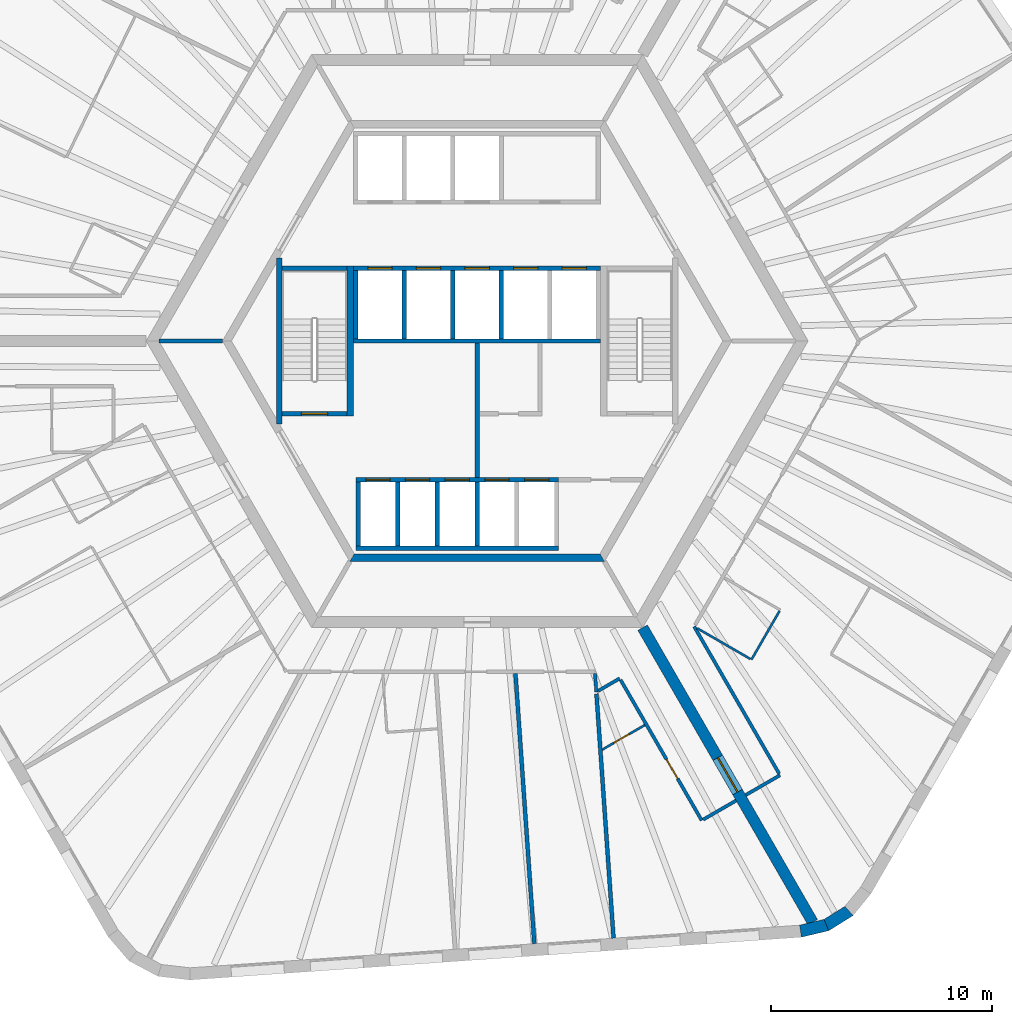
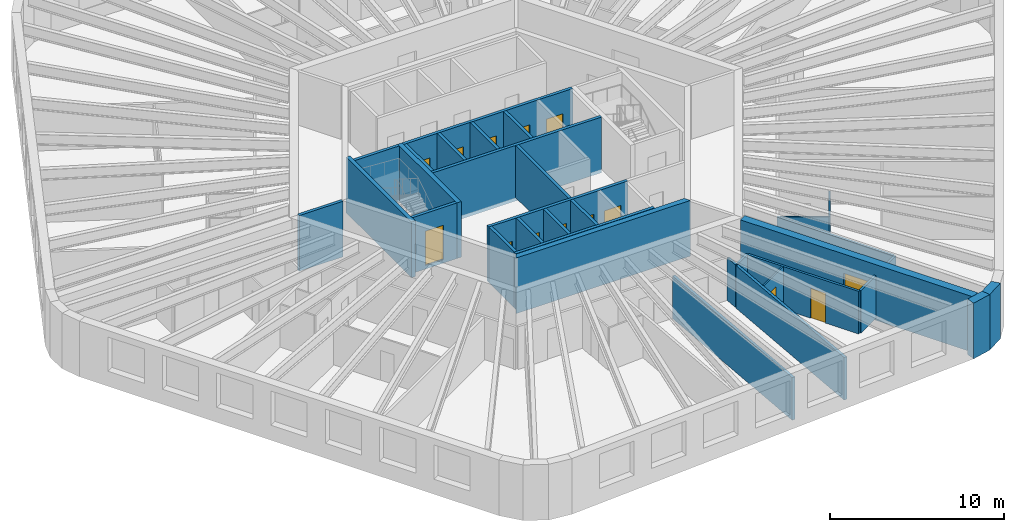
# One storey, part 4 of 10: 33 walls, 14 doors, 14 openings.
"""IFC4 building model written with IfcOpenShell, lengths in metres."""

from ifc_helpers import new_model, si_unit, direction, frame, frame_2d, origin, place, context, subcontext, project, spatial, polyline, rectangle, outline, extrude, material, layer, layer_set, type_object, element, fill, save


model = new_model("IFC4")

# Units and contexts
model_context = context("Model", 3, precision=1e-05, world=origin(), true_north=direction((0.0, 1.0)))
body_context = subcontext(model_context, "Body", "Model", "MODEL_VIEW")
ifc_project = project(units=[si_unit("LENGTHUNIT", "METRE"), si_unit("AREAUNIT", "SQUARE_METRE"), si_unit("VOLUMEUNIT", "CUBIC_METRE"), si_unit("PLANEANGLEUNIT", "RADIAN"), si_unit("MASSUNIT", "GRAM", prefix="KILO")], contexts=[model_context])

# Site, building, storey
site_placement = place(None, origin())
site = spatial("IfcSite", under=ifc_project, at=site_placement, CompositionType="ELEMENT")
building_placement = place(site_placement, origin())
building = spatial("IfcBuilding", under=site, at=building_placement, Name="Tarnside Tower", CompositionType="ELEMENT")
storey_placement = place(building_placement, frame((0.0, 0.0, 203.39990234375)))
storey = spatial("IfcBuildingStorey", under=building, at=storey_placement, Name="L48", CompositionType="ELEMENT", Elevation=203.39990234375)

# Wall, opening, door
ifc_material_1 = material(Name="Gypsum board partition on steel studs", Category="steel")
ifc_layer_1 = layer(ifc_material_1, 0.10009765625)
ifc_layer_set_1 = layer_set([ifc_layer_1], Name="Bathroom wall 100")
wall_type_1 = type_object("IfcWallType", Name="Bathroom wall 100", PredefinedType="PARTITIONING", material=ifc_layer_set_1)
wall_1_placement = place(storey_placement, frame((7.603271484375, -17.419189453125, 0.0), z_axis=(0.0, 0.0, 1.0), x_axis=(-0.866064858854, -0.499931655587, 0.0)))
wall_1 = element("IfcWall", 1, at=wall_1_placement, inside=storey, type_object=wall_type_1, Name="Bathroom wall 15093", PredefinedType="PARTITIONING", context=body_context, shape_type="SweptSolid", body=[
    extrude(rectangle(XDim=2.222412109375, YDim=0.10009765625, at=frame_2d((1.111328125, 0.0))), origin(), (0.0, 0.0, 1.0), 2.98779296875),
])
opening_1_placement = place(wall_1_placement, frame((0.824951171875, 0.0, 0.0)))
opening_1 = element("IfcOpeningElement", 2, at=opening_1_placement, cuts=wall_1, Name="Opening D-B1", PredefinedType="OPENING", context=body_context, shape_type="SweptSolid", body=[
    extrude(rectangle(XDim=0.800048828125, YDim=2.10009765625, at=frame_2d((0.39990234375, 1.050048828125))), frame((0.0, 0.06005859375, 0.0), z_axis=(0.0, -1.0, 0.0), x_axis=(1.0, 0.0, 0.0)), (0.0, 0.0, 1.0), 0.1201171875),
])
ifc_material_2 = material(Name="Timber door leaf", Category="wood")
door_type_1 = type_object("IfcDoorType", Name="Bathroom door 800", OperationType="NOTDEFINED", PredefinedType="DOOR", material=ifc_material_2)
door_1_placement = place(opening_1_placement, origin())
door_1 = element("IfcDoor", 3, at=door_1_placement, inside=storey, type_object=door_type_1, Name="Bathroom door 15024", OperationType="SINGLE_SWING_LEFT", OverallHeight=2.10009765625, OverallWidth=0.800048828125, PredefinedType="DOOR", context=body_context, shape_type="SweptSolid", body=[
    extrude(rectangle(XDim=0.800048828125, YDim=2.10009765625, at=frame_2d((0.39990234375, 1.050048828125))), frame((0.0, 0.02490234375, 0.0), z_axis=(0.0, -1.0, 0.0), x_axis=(1.0, 0.0, 0.0)), (0.0, 0.0, 1.0), 0.050048828125),
])
fill(opening_1, door_1)

# Walls
wall_2_placement = place(storey_placement, frame((13.716796875, -12.24169921875, 0.0), z_axis=(0.0, 0.0, 1.0), x_axis=(-0.499990435942, -0.866030925526, 0.0)))
element("IfcWall", 4, at=wall_2_placement, inside=storey, type_object=wall_type_1, Name="Bathroom wall 15095", PredefinedType="PARTITIONING", context=body_context, shape_type="SweptSolid", body=[
    extrude(rectangle(XDim=2.5498046875, YDim=0.10009765625, at=frame_2d((1.27490234375, 0.0))), origin(), (0.0, 0.0, 1.0), 2.98779296875),
])
wall_3_placement = place(storey_placement, frame((12.398681640625, -14.425048828125, 0.0), z_axis=(0.0, 0.0, 1.0), x_axis=(-0.866018616679, 0.500011755427, 0.0)))
element("IfcWall", 5, at=wall_3_placement, inside=storey, type_object=wall_type_1, Name="Bathroom wall 15096", PredefinedType="PARTITIONING", context=body_context, shape_type="SweptSolid", body=[
    extrude(rectangle(XDim=2.80029296875, YDim=0.10009765625, at=frame_2d((1.400146484375, 0.0))), origin(), (0.0, 0.0, 1.0), 2.98779296875),
])
ifc_material_3 = material(Name="Concrete C50/60", Category="concrete")
ifc_layer_2 = layer(ifc_material_3, 0.35009765625)
ifc_layer_set_2 = layer_set([ifc_layer_2], Name="Core block wall 350 C50/60")
wall_type_2 = type_object("IfcWallType", Name="Core block wall 350 C50/60", PredefinedType="SHEAR", material=ifc_layer_set_2)
wall_4_placement = place(storey_placement, frame((-5.672607421875, -9.824951171875, -0.14990234375), z_axis=(0.0, 0.0, 1.0), x_axis=(1.0, 0.0, 0.0)))
element("IfcWall", 6, at=wall_4_placement, inside=storey, type_object=wall_type_2, Name="L48 core block wall face 4", PredefinedType="SHEAR", context=body_context, shape_type="SweptSolid", body=[
    extrude(outline(polyline([(-0.10107421875, -0.175048828125), (11.4462890625, -0.175048828125), (11.244140625, 0.175048828125), (0.10107421875, 0.175048828125), (-0.10107421875, -0.175048828125)])), origin(), (0.0, 0.0, 1.0), 3.89990234375),
])
ifc_material_4 = material(Name="Concrete C40/50", Category="concrete")
ifc_layer_3 = layer(ifc_material_4, 0.199951171875)
ifc_layer_set_3 = layer_set([ifc_layer_3], Name="Core room partition 200 C40/50")
wall_type_3 = type_object("IfcWallType", Name="Core room partition 200 C40/50", PredefinedType="PARTITIONING", material=ifc_layer_set_3)
wall_5_placement = place(storey_placement, frame((0.0, -6.199951171875, 0.0), z_axis=(0.0, 0.0, 1.0), x_axis=(0.0, 1.0, 0.0)))
element("IfcWall", 7, at=wall_5_placement, inside=storey, type_object=wall_type_3, Name="L48 core partition X0", PredefinedType="PARTITIONING", context=body_context, shape_type="SweptSolid", body=[
    extrude(rectangle(XDim=6.099853515625, YDim=0.199951171875, at=frame_2d((3.0498046875, 0.0))), origin(), (0.0, 0.0, 1.0), 3.650146484375),
])

# Wall, opening, door
ifc_material_5 = material(Name="Concrete C70/85", Category="concrete")
ifc_layer_4 = layer(ifc_material_5, 0.5)
ifc_layer_set_4 = layer_set([ifc_layer_4], Name="Core wall Z2 500 C70/85")
wall_type_4 = type_object("IfcWallType", Name="Core wall Z2 500 C70/85", PredefinedType="SHEAR", material=ifc_layer_set_4)
wall_6_placement = place(storey_placement, frame((7.505615234375, -13.0, -0.14990234375), z_axis=(0.0, 0.0, 1.0), x_axis=(0.499988271576, -0.866032175087, 0.0)))
wall_6 = element("IfcWall", 8, at=wall_6_placement, inside=storey, type_object=wall_type_4, Name="L48 spine wall 3", PredefinedType="SHEAR", context=body_context, shape_type="SweptSolid", body=[
    extrude(rectangle(XDim=15.423583984375, YDim=0.5, at=frame_2d((7.7119140625, 0.0))), origin(), (0.0, 0.0, 1.0), 3.89990234375),
])
opening_2_placement = place(wall_6_placement, frame((6.811767578125, 0.0, 0.14990234375)))
opening_2 = element("IfcOpeningElement", 9, at=opening_2_placement, cuts=wall_6, Name="Opening CD-SPN", PredefinedType="OPENING", context=body_context, shape_type="SweptSolid", body=[
    extrude(rectangle(XDim=1.800048828125, YDim=2.39990234375, at=frame_2d((0.89990234375, 1.199951171875))), frame((0.0, 0.260009765625, 0.0), z_axis=(0.0, -1.0, 0.0), x_axis=(1.0, 0.0, 0.0)), (0.0, 0.0, 1.0), 0.52001953125),
])
ifc_material_6 = material(Name="Steel fire door", Category="steel")
door_type_2 = type_object("IfcDoorType", Name="Spine passage double door FD60 1800x2400", OperationType="NOTDEFINED", PredefinedType="DOOR", material=ifc_material_6)
door_2_placement = place(opening_2_placement, origin())
door_2 = element("IfcDoor", 10, at=door_2_placement, inside=storey, type_object=door_type_2, Name="L48 spine passage door 3", OperationType="DOUBLE_DOOR_SINGLE_SWING", OverallHeight=2.39990234375, OverallWidth=1.800048828125, PredefinedType="DOOR", context=body_context, shape_type="SweptSolid", body=[
    extrude(rectangle(XDim=1.800048828125, YDim=2.39990234375, at=frame_2d((0.89990234375, 1.199951171875))), frame((0.0, 0.02490234375, 0.0), z_axis=(0.0, -1.0, 0.0), x_axis=(1.0, 0.0, 0.0)), (0.0, 0.0, 1.0), 0.050048828125),
])
fill(opening_2, door_2)

# Wall
ifc_layer_5 = layer(ifc_material_1, 0.14990234375)
ifc_layer_set_5 = layer_set([ifc_layer_5], Name="Corridor wall 150 EI 60")
wall_type_5 = type_object("IfcWallType", Name="Corridor wall 150 EI 60", PredefinedType="PARTITIONING", material=ifc_layer_set_5)
wall_7_placement = place(storey_placement, frame((5.3466796875, -15.074951171875, 0.0), z_axis=(0.0, 0.0, 1.0), x_axis=(0.069751684831, -0.997564385122, 0.0)))
element("IfcWall", 11, at=wall_7_placement, inside=storey, type_object=wall_type_5, Name="Corridor wall 15028", PredefinedType="PARTITIONING", context=body_context, shape_type="SweptSolid", body=[
    extrude(rectangle(XDim=0.846923828125, YDim=0.14990234375, at=frame_2d((0.42333984375, 0.0))), origin(), (0.0, 0.0, 1.0), 2.98779296875),
])

# Wall, opening, door
wall_8_placement = place(storey_placement, frame((6.505615234375, -15.3681640625, 0.0), z_axis=(0.0, 0.0, 1.0), x_axis=(0.499995202058, -0.86602817386, 0.0)))
wall_8 = element("IfcWall", 12, at=wall_8_placement, inside=storey, type_object=wall_type_5, Name="Corridor wall 15029", PredefinedType="PARTITIONING", context=body_context, shape_type="SweptSolid", body=[
    extrude(rectangle(XDim=7.36083984375, YDim=0.14990234375, at=frame_2d((3.680419921875, 0.0))), origin(), (0.0, 0.0, 1.0), 2.98779296875),
])
opening_3_placement = place(wall_8_placement, frame((4.16796875, 0.0, 0.0)))
opening_3 = element("IfcOpeningElement", 13, at=opening_3_placement, cuts=wall_8, Name="Opening D-E1", PredefinedType="OPENING", context=body_context, shape_type="SweptSolid", body=[
    extrude(rectangle(XDim=1.0, YDim=2.10009765625, at=frame_2d((0.5, 1.050048828125))), frame((0.0, 0.0849609375, 0.0), z_axis=(0.0, -1.0, 0.0), x_axis=(1.0, 0.0, 0.0)), (0.0, 0.0, 1.0), 0.169921875),
])
door_type_3 = type_object("IfcDoorType", Name="Unit entrance door 1000 FD30S", OperationType="NOTDEFINED", PredefinedType="DOOR", material=ifc_material_2)
door_3_placement = place(opening_3_placement, origin())
door_3 = element("IfcDoor", 14, at=door_3_placement, inside=storey, type_object=door_type_3, Name="Unit door 15023", OperationType="SINGLE_SWING_RIGHT", OverallHeight=2.10009765625, OverallWidth=1.0, PredefinedType="DOOR", context=body_context, shape_type="SweptSolid", body=[
    extrude(rectangle(XDim=1.0, YDim=2.10009765625, at=frame_2d((0.5, 1.050048828125))), frame((0.0, 0.02490234375, 0.0), z_axis=(0.0, -1.0, 0.0), x_axis=(1.0, 0.0, 0.0)), (0.0, 0.0, 1.0), 0.050048828125),
])
fill(opening_3, door_3)

# Walls
wall_9_placement = place(storey_placement, frame((10.2509765625, -21.705322265625, 0.0), z_axis=(0.0, 0.0, 1.0), x_axis=(0.866013532718, 0.500020560727, 0.0)))
element("IfcWall", 15, at=wall_9_placement, inside=storey, type_object=wall_type_5, Name="Corridor wall 15030", PredefinedType="PARTITIONING", context=body_context, shape_type="SweptSolid", body=[
    extrude(rectangle(XDim=1.72509765625, YDim=0.14990234375, at=frame_2d((0.862548828125, 0.0))), origin(), (0.0, 0.0, 1.0), 2.98779296875),
])
wall_10_placement = place(storey_placement, frame((5.477783203125, -15.875, 0.0), z_axis=(0.0, 0.0, 1.0), x_axis=(0.866000689289, 0.500042804318, 0.0)))
element("IfcWall", 16, at=wall_10_placement, inside=storey, type_object=wall_type_5, Name="Corridor wall 15031", PredefinedType="PARTITIONING", context=body_context, shape_type="SweptSolid", body=[
    extrude(rectangle(XDim=1.1435546875, YDim=0.14990234375, at=frame_2d((0.57177734375, 0.0))), origin(), (0.0, 0.0, 1.0), 2.98779296875),
])
wall_11_placement = place(storey_placement, frame((12.177978515625, -20.5927734375, 0.0), z_axis=(0.0, 0.0, 1.0), x_axis=(0.866047807691, 0.499961193289, 0.0)))
element("IfcWall", 17, at=wall_11_placement, inside=storey, type_object=wall_type_5, Name="Corridor wall 15033", PredefinedType="PARTITIONING", context=body_context, shape_type="SweptSolid", body=[
    extrude(rectangle(XDim=1.800048828125, YDim=0.14990234375, at=frame_2d((0.89990234375, 0.0))), origin(), (0.0, 0.0, 1.0), 2.98779296875),
])
wall_12_placement = place(storey_placement, frame((13.69921875, -19.6279296875, 0.0), z_axis=(0.0, 0.0, 1.0), x_axis=(-0.499993780622, 0.866028994514, 0.0)))
element("IfcWall", 18, at=wall_12_placement, inside=storey, type_object=wall_type_5, Name="Corridor wall 15034", PredefinedType="PARTITIONING", context=body_context, shape_type="SweptSolid", body=[
    extrude(rectangle(XDim=7.7109375, YDim=0.14990234375, at=frame_2d((3.85546875, 0.0))), origin(), (0.0, 0.0, 1.0), 2.98779296875),
])
ifc_layer_6 = layer(ifc_material_1, 0.179931640625)
ifc_layer_set_6 = layer_set([ifc_layer_6], Name="Demising wall 180 EI 60")
wall_type_6 = type_object("IfcWallType", Name="Demising wall 180 EI 60", PredefinedType="PARTITIONING", material=ifc_layer_set_6)
wall_13_placement = place(storey_placement, frame((2.59521484375, -27.33544921875, 0.0), z_axis=(0.0, 0.0, 1.0), x_axis=(-0.069763302087, 0.997563572752, 0.0)))
element("IfcWall", 19, at=wall_13_placement, inside=storey, type_object=wall_type_6, Name="Demising wall 15090", PredefinedType="PARTITIONING", context=body_context, shape_type="SweptSolid", body=[
    extrude(rectangle(XDim=12.29052734375, YDim=0.179931640625, at=frame_2d((6.145263671875, 0.0))), origin(), (0.0, 0.0, 1.0), 2.98779296875),
])
wall_14_placement = place(storey_placement, frame((6.1865234375, -27.08447265625, 0.0), z_axis=(0.0, 0.0, 1.0), x_axis=(-0.069758943489, 0.997563877555, 0.0)))
element("IfcWall", 20, at=wall_14_placement, inside=storey, type_object=wall_type_6, Name="Demising wall 15091", PredefinedType="PARTITIONING", context=body_context, shape_type="SweptSolid", body=[
    extrude(rectangle(XDim=11.11181640625, YDim=0.179931640625, at=frame_2d((5.555908203125, 0.0))), origin(), (0.0, 0.0, 1.0), 2.98779296875),
])

# Wall, openings, doors
ifc_layer_7 = layer(ifc_material_4, 0.199951171875)
ifc_layer_set_7 = layer_set([ifc_layer_7], Name="Lift shaft wall 200 C40/50")
wall_type_7 = type_object("IfcWallType", Name="Lift shaft wall 200 C40/50", PredefinedType="SHEAR", material=ifc_layer_set_7)
wall_15_placement = place(storey_placement, frame((-5.60009765625, 3.300048828125, -0.25), z_axis=(0.0, 0.0, 1.0), x_axis=(1.0, 0.0, 0.0)))
wall_15 = element("IfcWall", 21, at=wall_15_placement, inside=storey, type_object=wall_type_7, Name="L48 lift shaft front wall R2", PredefinedType="SHEAR", context=body_context, shape_type="SweptSolid", body=[
    extrude(rectangle(XDim=11.2001953125, YDim=0.199951171875, at=frame_2d((5.60009765625, 0.0))), origin(), (0.0, 0.0, 1.0), 3.900146484375),
])
opening_4_placement = place(wall_15_placement, frame((0.64990234375, 0.0, 0.25)))
opening_4 = element("IfcOpeningElement", 22, at=opening_4_placement, cuts=wall_15, Name="Opening LD", PredefinedType="OPENING", context=body_context, shape_type="SweptSolid", body=[
    extrude(rectangle(XDim=1.10009765625, YDim=2.10009765625, at=frame_2d((0.550048828125, 1.050048828125))), frame((0.0, 0.10986328125, 0.0), z_axis=(0.0, -1.0, 0.0), x_axis=(1.0, 0.0, 0.0)), (0.0, 0.0, 1.0), 0.219970703125),
])
opening_5_placement = place(wall_15_placement, frame((2.85009765625, 0.0, 0.25)))
opening_5 = element("IfcOpeningElement", 23, at=opening_5_placement, cuts=wall_15, Name="Opening LD", PredefinedType="OPENING", context=body_context, shape_type="SweptSolid", body=[
    extrude(rectangle(XDim=1.10009765625, YDim=2.10009765625, at=frame_2d((0.550048828125, 1.050048828125))), frame((0.0, 0.10986328125, 0.0), z_axis=(0.0, -1.0, 0.0), x_axis=(1.0, 0.0, 0.0)), (0.0, 0.0, 1.0), 0.219970703125),
])
opening_6_placement = place(wall_15_placement, frame((5.050048828125, 0.0, 0.25)))
opening_6 = element("IfcOpeningElement", 24, at=opening_6_placement, cuts=wall_15, Name="Opening LD", PredefinedType="OPENING", context=body_context, shape_type="SweptSolid", body=[
    extrude(rectangle(XDim=1.10009765625, YDim=2.10009765625, at=frame_2d((0.550048828125, 1.050048828125))), frame((0.0, 0.10986328125, 0.0), z_axis=(0.0, -1.0, 0.0), x_axis=(1.0, 0.0, 0.0)), (0.0, 0.0, 1.0), 0.219970703125),
])
opening_7_placement = place(wall_15_placement, frame((7.25, 0.0, 0.25)))
opening_7 = element("IfcOpeningElement", 25, at=opening_7_placement, cuts=wall_15, Name="Opening LD", PredefinedType="OPENING", context=body_context, shape_type="SweptSolid", body=[
    extrude(rectangle(XDim=1.10009765625, YDim=2.10009765625, at=frame_2d((0.550048828125, 1.050048828125))), frame((0.0, 0.10986328125, 0.0), z_axis=(0.0, -1.0, 0.0), x_axis=(1.0, 0.0, 0.0)), (0.0, 0.0, 1.0), 0.219970703125),
])
opening_8_placement = place(wall_15_placement, frame((9.449951171875, 0.0, 0.25)))
opening_8 = element("IfcOpeningElement", 26, at=opening_8_placement, cuts=wall_15, Name="Opening LD", PredefinedType="OPENING", context=body_context, shape_type="SweptSolid", body=[
    extrude(rectangle(XDim=1.10009765625, YDim=2.10009765625, at=frame_2d((0.550048828125, 1.050048828125))), frame((0.0, 0.10986328125, 0.0), z_axis=(0.0, -1.0, 0.0), x_axis=(1.0, 0.0, 0.0)), (0.0, 0.0, 1.0), 0.219970703125),
])
ifc_material_7 = material(Name="Stainless steel", Category="steel")
door_type_4 = type_object("IfcDoorType", Name="Lift landing door 1100x2100", OperationType="NOTDEFINED", PredefinedType="DOOR", material=ifc_material_7)
door_4_placement = place(opening_4_placement, origin())
door_4 = element("IfcDoor", 27, at=door_4_placement, inside=storey, type_object=door_type_4, Name="Mid-rise lift 4 landing door L48", OperationType="SLIDING_TO_LEFT", OverallHeight=2.10009765625, OverallWidth=1.10009765625, PredefinedType="DOOR", context=body_context, shape_type="SweptSolid", body=[
    extrude(rectangle(XDim=1.10009765625, YDim=2.10009765625, at=frame_2d((0.550048828125, 1.050048828125))), frame((0.0, 0.02490234375, 0.0), z_axis=(0.0, -1.0, 0.0), x_axis=(1.0, 0.0, 0.0)), (0.0, 0.0, 1.0), 0.050048828125),
])
fill(opening_4, door_4)
door_5_placement = place(opening_5_placement, origin())
door_5 = element("IfcDoor", 28, at=door_5_placement, inside=storey, type_object=door_type_4, Name="Mid-rise lift 5 landing door L48", OperationType="SLIDING_TO_LEFT", OverallHeight=2.10009765625, OverallWidth=1.10009765625, PredefinedType="DOOR", context=body_context, shape_type="SweptSolid", body=[
    extrude(rectangle(XDim=1.10009765625, YDim=2.10009765625, at=frame_2d((0.550048828125, 1.050048828125))), frame((0.0, 0.02490234375, 0.0), z_axis=(0.0, -1.0, 0.0), x_axis=(1.0, 0.0, 0.0)), (0.0, 0.0, 1.0), 0.050048828125),
])
fill(opening_5, door_5)
door_6_placement = place(opening_6_placement, origin())
door_6 = element("IfcDoor", 29, at=door_6_placement, inside=storey, type_object=door_type_4, Name="Mid-rise lift 6 landing door L48", OperationType="SLIDING_TO_LEFT", OverallHeight=2.10009765625, OverallWidth=1.10009765625, PredefinedType="DOOR", context=body_context, shape_type="SweptSolid", body=[
    extrude(rectangle(XDim=1.10009765625, YDim=2.10009765625, at=frame_2d((0.550048828125, 1.050048828125))), frame((0.0, 0.02490234375, 0.0), z_axis=(0.0, -1.0, 0.0), x_axis=(1.0, 0.0, 0.0)), (0.0, 0.0, 1.0), 0.050048828125),
])
fill(opening_6, door_6)
door_7_placement = place(opening_7_placement, origin())
door_7 = element("IfcDoor", 30, at=door_7_placement, inside=storey, type_object=door_type_4, Name="High sky-lobby shuttle 1 landing door L48", OperationType="SLIDING_TO_LEFT", OverallHeight=2.10009765625, OverallWidth=1.10009765625, PredefinedType="DOOR", context=body_context, shape_type="SweptSolid", body=[
    extrude(rectangle(XDim=1.10009765625, YDim=2.10009765625, at=frame_2d((0.550048828125, 1.050048828125))), frame((0.0, 0.02490234375, 0.0), z_axis=(0.0, -1.0, 0.0), x_axis=(1.0, 0.0, 0.0)), (0.0, 0.0, 1.0), 0.050048828125),
])
fill(opening_7, door_7)
door_8_placement = place(opening_8_placement, origin())
door_8 = element("IfcDoor", 31, at=door_8_placement, inside=storey, type_object=door_type_4, Name="Express sky-lobby shuttle 2 landing door L48", OperationType="SLIDING_TO_LEFT", OverallHeight=2.10009765625, OverallWidth=1.10009765625, PredefinedType="DOOR", context=body_context, shape_type="SweptSolid", body=[
    extrude(rectangle(XDim=1.10009765625, YDim=2.10009765625, at=frame_2d((0.550048828125, 1.050048828125))), frame((0.0, 0.02490234375, 0.0), z_axis=(0.0, -1.0, 0.0), x_axis=(1.0, 0.0, 0.0)), (0.0, 0.0, 1.0), 0.050048828125),
])
fill(opening_8, door_8)

# Walls
wall_16_placement = place(storey_placement, frame((-5.60009765625, 0.0, -0.25), z_axis=(0.0, 0.0, 1.0), x_axis=(1.0, 0.0, 0.0)))
element("IfcWall", 32, at=wall_16_placement, inside=storey, type_object=wall_type_7, Name="L48 lift shaft back wall R2", PredefinedType="SHEAR", context=body_context, shape_type="SweptSolid", body=[
    extrude(rectangle(XDim=11.2001953125, YDim=0.199951171875, at=frame_2d((5.60009765625, 0.0))), origin(), (0.0, 0.0, 1.0), 3.900146484375),
])
for number, where, z_axis, x_axis, name in (
    (33, (-5.5, 0.10009765625, -0.25), (0.0, 0.0, 1.0), (0.0, 1.0, 0.0), "L48 lift shaft partition R21"),
    (34, (-3.300048828125, 0.10009765625, -0.25), (0.0, 0.0, 1.0), (0.0, 1.0, 0.0), "L48 lift shaft partition R22"),
    (35, (-1.10009765625, 0.10009765625, -0.25), (0.0, 0.0, 1.0), (0.0, 1.0, 0.0), "L48 lift shaft partition R23"),
    (36, (1.10009765625, 0.10009765625, -0.25), (0.0, 0.0, 1.0), (0.0, 1.0, 0.0), "L48 lift shaft partition R24"),
):
    element("IfcWall", number, at=place(storey_placement, frame(where, z_axis=z_axis, x_axis=x_axis)), inside=storey, type_object=wall_type_7, Name=name, PredefinedType="SHEAR", context=body_context, shape_type="SweptSolid", body=[
        extrude(rectangle(XDim=3.099853515625, YDim=0.199951171875, at=frame_2d((1.5498046875, 0.0))), origin(), (0.0, 0.0, 1.0), 3.900146484375),
    ])

# Wall, openings, doors
wall_17_placement = place(storey_placement, frame((-5.5, -6.300048828125, -0.25), z_axis=(0.0, 0.0, 1.0), x_axis=(1.0, 0.0, 0.0)))
wall_17 = element("IfcWall", 37, at=wall_17_placement, inside=storey, type_object=wall_type_7, Name="L48 lift shaft front wall R4", PredefinedType="SHEAR", context=body_context, shape_type="SweptSolid", body=[
    extrude(rectangle(XDim=9.199951171875, YDim=0.199951171875, at=frame_2d((4.60009765625, 0.0))), origin(), (0.0, 0.0, 1.0), 3.900146484375),
])
opening_9_placement = place(wall_17_placement, frame((0.449951171875, 0.0, 0.25)))
opening_9 = element("IfcOpeningElement", 38, at=opening_9_placement, cuts=wall_17, Name="Opening LDF", PredefinedType="OPENING", context=body_context, shape_type="SweptSolid", body=[
    extrude(rectangle(XDim=1.10009765625, YDim=2.10009765625, at=frame_2d((0.550048828125, 1.050048828125))), frame((0.0, 0.10986328125, 0.0), z_axis=(0.0, -1.0, 0.0), x_axis=(1.0, 0.0, 0.0)), (0.0, 0.0, 1.0), 0.219970703125),
])
opening_10_placement = place(wall_17_placement, frame((2.25, 0.0, 0.25)))
opening_10 = element("IfcOpeningElement", 39, at=opening_10_placement, cuts=wall_17, Name="Opening LDF", PredefinedType="OPENING", context=body_context, shape_type="SweptSolid", body=[
    extrude(rectangle(XDim=1.10009765625, YDim=2.10009765625, at=frame_2d((0.550048828125, 1.050048828125))), frame((0.0, 0.10986328125, 0.0), z_axis=(0.0, -1.0, 0.0), x_axis=(1.0, 0.0, 0.0)), (0.0, 0.0, 1.0), 0.219970703125),
])
opening_11_placement = place(wall_17_placement, frame((4.050048828125, 0.0, 0.25)))
opening_11 = element("IfcOpeningElement", 40, at=opening_11_placement, cuts=wall_17, Name="Opening LDF", PredefinedType="OPENING", context=body_context, shape_type="SweptSolid", body=[
    extrude(rectangle(XDim=1.10009765625, YDim=2.10009765625, at=frame_2d((0.550048828125, 1.050048828125))), frame((0.0, 0.10986328125, 0.0), z_axis=(0.0, -1.0, 0.0), x_axis=(1.0, 0.0, 0.0)), (0.0, 0.0, 1.0), 0.219970703125),
])
opening_12_placement = place(wall_17_placement, frame((5.85009765625, 0.0, 0.25)))
opening_12 = element("IfcOpeningElement", 41, at=opening_12_placement, cuts=wall_17, Name="Opening LDF", PredefinedType="OPENING", context=body_context, shape_type="SweptSolid", body=[
    extrude(rectangle(XDim=1.10009765625, YDim=2.10009765625, at=frame_2d((0.550048828125, 1.050048828125))), frame((0.0, 0.10986328125, 0.0), z_axis=(0.0, -1.0, 0.0), x_axis=(1.0, 0.0, 0.0)), (0.0, 0.0, 1.0), 0.219970703125),
])
opening_13_placement = place(wall_17_placement, frame((7.64990234375, 0.0, 0.25)))
opening_13 = element("IfcOpeningElement", 42, at=opening_13_placement, cuts=wall_17, Name="Opening LDF", PredefinedType="OPENING", context=body_context, shape_type="SweptSolid", body=[
    extrude(rectangle(XDim=1.10009765625, YDim=2.10009765625, at=frame_2d((0.550048828125, 1.050048828125))), frame((0.0, 0.10986328125, 0.0), z_axis=(0.0, -1.0, 0.0), x_axis=(1.0, 0.0, 0.0)), (0.0, 0.0, 1.0), 0.219970703125),
])
door_type_5 = type_object("IfcDoorType", Name="Lift landing door 1100x2100 EI 120", OperationType="NOTDEFINED", PredefinedType="DOOR", material=ifc_material_7)
door_9_placement = place(opening_9_placement, origin())
door_9 = element("IfcDoor", 43, at=door_9_placement, inside=storey, type_object=door_type_5, Name="Firefighting lift 1 landing door L48", OperationType="SLIDING_TO_LEFT", OverallHeight=2.10009765625, OverallWidth=1.10009765625, PredefinedType="DOOR", context=body_context, shape_type="SweptSolid", body=[
    extrude(rectangle(XDim=1.10009765625, YDim=2.10009765625, at=frame_2d((0.550048828125, 1.050048828125))), frame((0.0, 0.02490234375, 0.0), z_axis=(0.0, -1.0, 0.0), x_axis=(1.0, 0.0, 0.0)), (0.0, 0.0, 1.0), 0.050048828125),
])
fill(opening_9, door_9)
door_10_placement = place(opening_10_placement, origin())
door_10 = element("IfcDoor", 44, at=door_10_placement, inside=storey, type_object=door_type_5, Name="Firefighting lift 2 landing door L48", OperationType="SLIDING_TO_LEFT", OverallHeight=2.10009765625, OverallWidth=1.10009765625, PredefinedType="DOOR", context=body_context, shape_type="SweptSolid", body=[
    extrude(rectangle(XDim=1.10009765625, YDim=2.10009765625, at=frame_2d((0.550048828125, 1.050048828125))), frame((0.0, 0.02490234375, 0.0), z_axis=(0.0, -1.0, 0.0), x_axis=(1.0, 0.0, 0.0)), (0.0, 0.0, 1.0), 0.050048828125),
])
fill(opening_10, door_10)
door_11_placement = place(opening_11_placement, origin())
door_11 = element("IfcDoor", 45, at=door_11_placement, inside=storey, type_object=door_type_5, Name="Firefighting lift 3 landing door L48", OperationType="SLIDING_TO_LEFT", OverallHeight=2.10009765625, OverallWidth=1.10009765625, PredefinedType="DOOR", context=body_context, shape_type="SweptSolid", body=[
    extrude(rectangle(XDim=1.10009765625, YDim=2.10009765625, at=frame_2d((0.550048828125, 1.050048828125))), frame((0.0, 0.02490234375, 0.0), z_axis=(0.0, -1.0, 0.0), x_axis=(1.0, 0.0, 0.0)), (0.0, 0.0, 1.0), 0.050048828125),
])
fill(opening_11, door_11)
door_12_placement = place(opening_12_placement, origin())
door_12 = element("IfcDoor", 46, at=door_12_placement, inside=storey, type_object=door_type_5, Name="Firefighting lift 4 landing door L48", OperationType="SLIDING_TO_LEFT", OverallHeight=2.10009765625, OverallWidth=1.10009765625, PredefinedType="DOOR", context=body_context, shape_type="SweptSolid", body=[
    extrude(rectangle(XDim=1.10009765625, YDim=2.10009765625, at=frame_2d((0.550048828125, 1.050048828125))), frame((0.0, 0.02490234375, 0.0), z_axis=(0.0, -1.0, 0.0), x_axis=(1.0, 0.0, 0.0)), (0.0, 0.0, 1.0), 0.050048828125),
])
fill(opening_12, door_12)
door_13_placement = place(opening_13_placement, origin())
door_13 = element("IfcDoor", 47, at=door_13_placement, inside=storey, type_object=door_type_5, Name="Firefighting lift 5 landing door L48", OperationType="SLIDING_TO_LEFT", OverallHeight=2.10009765625, OverallWidth=1.10009765625, PredefinedType="DOOR", context=body_context, shape_type="SweptSolid", body=[
    extrude(rectangle(XDim=1.10009765625, YDim=2.10009765625, at=frame_2d((0.550048828125, 1.050048828125))), frame((0.0, 0.02490234375, 0.0), z_axis=(0.0, -1.0, 0.0), x_axis=(1.0, 0.0, 0.0)), (0.0, 0.0, 1.0), 0.050048828125),
])
fill(opening_13, door_13)

# Walls
wall_18_placement = place(storey_placement, frame((-5.5, -9.39990234375, -0.25), z_axis=(0.0, 0.0, 1.0), x_axis=(1.0, 0.0, 0.0)))
element("IfcWall", 48, at=wall_18_placement, inside=storey, type_object=wall_type_7, Name="L48 lift shaft back wall R4", PredefinedType="SHEAR", context=body_context, shape_type="SweptSolid", body=[
    extrude(rectangle(XDim=9.199951171875, YDim=0.199951171875, at=frame_2d((4.60009765625, 0.0))), origin(), (0.0, 0.0, 1.0), 3.900146484375),
])
for number, where, z_axis, x_axis, name in (
    (49, (-5.39990234375, -9.300048828125, -0.25), (0.0, 0.0, 1.0), (0.0, 1.0, 0.0), "L48 lift shaft partition R41"),
    (50, (-3.60009765625, -9.300048828125, -0.25), (0.0, 0.0, 1.0), (0.0, 1.0, 0.0), "L48 lift shaft partition R42"),
    (51, (-1.800048828125, -9.300048828125, -0.25), (0.0, 0.0, 1.0), (0.0, 1.0, 0.0), "L48 lift shaft partition R43"),
    (52, (0.0, -9.300048828125, -0.25), (0.0, 0.0, 1.0), (0.0, 1.0, 0.0), "L48 lift shaft partition R44"),
):
    element("IfcWall", number, at=place(storey_placement, frame(where, z_axis=z_axis, x_axis=x_axis)), inside=storey, type_object=wall_type_7, Name=name, PredefinedType="SHEAR", context=body_context, shape_type="SweptSolid", body=[
        extrude(rectangle(XDim=2.900146484375, YDim=0.199951171875, at=frame_2d((1.4501953125, 0.0))), origin(), (0.0, 0.0, 1.0), 3.900146484375),
    ])
wall_19_placement = place(storey_placement, frame((-11.547119140625, 0.0, -0.14990234375), z_axis=(0.0, 0.0, 1.0), x_axis=(-1.0, 0.0, 0.0)))
element("IfcWall", 53, at=wall_19_placement, inside=storey, type_object=wall_type_7, Name="L48 core partition AR180", PredefinedType="SHEAR", context=body_context, shape_type="SweptSolid", body=[
    extrude(rectangle(XDim=2.88671875, YDim=0.199951171875, at=frame_2d((1.443359375, 0.0))), origin(), (0.0, 0.0, 1.0), 3.89990234375),
])
wall_20_placement = place(storey_placement, frame((-8.85009765625, 3.300048828125, -0.25), z_axis=(0.0, 0.0, 1.0), x_axis=(1.0, 0.0, 0.0)))
element("IfcWall", 54, at=wall_20_placement, inside=storey, type_object=wall_type_7, Name="L48 stair 2 enclosure cap wall n", PredefinedType="SHEAR", context=body_context, shape_type="SweptSolid", body=[
    extrude(rectangle(XDim=2.9501953125, YDim=0.199951171875, at=frame_2d((1.47509765625, 0.0))), origin(), (0.0, 0.0, 1.0), 3.900146484375),
])

# Wall, opening, door
wall_21_placement = place(storey_placement, frame((-8.85009765625, -3.300048828125, -0.25), z_axis=(0.0, 0.0, 1.0), x_axis=(1.0, 0.0, 0.0)))
wall_21 = element("IfcWall", 55, at=wall_21_placement, inside=storey, type_object=wall_type_7, Name="L48 stair 2 enclosure cap wall s", PredefinedType="SHEAR", context=body_context, shape_type="SweptSolid", body=[
    extrude(rectangle(XDim=2.9501953125, YDim=0.199951171875, at=frame_2d((1.47509765625, 0.0))), origin(), (0.0, 0.0, 1.0), 3.900146484375),
])
opening_14_placement = place(wall_21_placement, frame((0.875, 0.0, 0.25)))
opening_14 = element("IfcOpeningElement", 56, at=opening_14_placement, cuts=wall_21, Name="Opening CD-STR", PredefinedType="OPENING", context=body_context, shape_type="SweptSolid", body=[
    extrude(rectangle(XDim=1.199951171875, YDim=2.39990234375, at=frame_2d((0.60009765625, 1.199951171875))), frame((0.0, 0.10986328125, 0.0), z_axis=(0.0, -1.0, 0.0), x_axis=(1.0, 0.0, 0.0)), (0.0, 0.0, 1.0), 0.219970703125),
])
door_type_6 = type_object("IfcDoorType", Name="Stair door FD60S 1200x2400", OperationType="NOTDEFINED", PredefinedType="DOOR", material=ifc_material_6)
door_14_placement = place(opening_14_placement, origin())
door_14 = element("IfcDoor", 57, at=door_14_placement, inside=storey, type_object=door_type_6, Name="L48 stair 2 door", OperationType="SINGLE_SWING_LEFT", OverallHeight=2.39990234375, OverallWidth=1.199951171875, PredefinedType="DOOR", context=body_context, shape_type="SweptSolid", body=[
    extrude(rectangle(XDim=1.199951171875, YDim=2.39990234375, at=frame_2d((0.60009765625, 1.199951171875))), frame((0.0, 0.02490234375, 0.0), z_axis=(0.0, -1.0, 0.0), x_axis=(1.0, 0.0, 0.0)), (0.0, 0.0, 1.0), 0.050048828125),
])
fill(opening_14, door_14)

# Walls
ifc_layer_8 = layer(ifc_material_4, 0.25)
ifc_layer_set_8 = layer_set([ifc_layer_8], Name="Stair enclosure wall 250 C40/50")
wall_type_8 = type_object("IfcWallType", Name="Stair enclosure wall 250 C40/50", PredefinedType="SHEAR", material=ifc_layer_set_8)
wall_22_placement = place(storey_placement, frame((-8.97509765625, -3.7548828125, -0.25), z_axis=(0.0, 0.0, 1.0), x_axis=(0.0, 1.0, 0.0)))
element("IfcWall", 58, at=wall_22_placement, inside=storey, type_object=wall_type_8, Name="L48 stair 2 enclosure wall outer", PredefinedType="SHEAR", context=body_context, shape_type="SweptSolid", body=[
    extrude(rectangle(XDim=7.509765625, YDim=0.25, at=frame_2d((3.7548828125, 0.0))), origin(), (0.0, 0.0, 1.0), 3.900146484375),
])
ifc_layer_9 = layer(ifc_material_4, 0.300048828125)
ifc_layer_set_9 = layer_set([ifc_layer_9], Name="Stair enclosure wall 300 C40/50")
wall_type_9 = type_object("IfcWallType", Name="Stair enclosure wall 300 C40/50", PredefinedType="SHEAR", material=ifc_layer_set_9)
wall_23_placement = place(storey_placement, frame((-5.75, -3.39990234375, -0.25), z_axis=(0.0, 0.0, 1.0), x_axis=(0.0, 1.0, 0.0)))
element("IfcWall", 59, at=wall_23_placement, inside=storey, type_object=wall_type_9, Name="L48 stair 2 enclosure wall inner", PredefinedType="SHEAR", context=body_context, shape_type="SweptSolid", body=[
    extrude(rectangle(XDim=6.7998046875, YDim=0.300048828125, at=frame_2d((3.39990234375, 0.0))), origin(), (0.0, 0.0, 1.0), 3.900146484375),
])
ifc_material_8 = material(Name="Facing brick", Category="masonry")
ifc_layer_10 = layer(ifc_material_8, 0.10205078125)
ifc_material_9 = material(Name="Concrete C60/75 precast", Category="concrete")
ifc_layer_11 = layer(ifc_material_9, 0.347900390625)
ifc_material_10 = material(Name="Mineral wool insulation")
ifc_layer_12 = layer(ifc_material_10, 0.10009765625)
ifc_layer_set_10 = layer_set([ifc_layer_10, ifc_layer_11, ifc_layer_12], Name="Tube wall 550 brick faced")
wall_type_10 = type_object("IfcWallType", Name="Tube wall 550 brick faced", PredefinedType="SOLIDWALL", material=ifc_layer_set_10)
wall_24_placement = place(storey_placement, frame((14.663818359375, -26.767333984375, -0.14990234375), z_axis=(0.0, 0.0, 1.0), x_axis=(0.973063591128, 0.230536868247, 0.0)))
element("IfcWall", 60, at=wall_24_placement, inside=storey, type_object=wall_type_10, Name="Tube wall L48 F4 chord 13", PredefinedType="SOLIDWALL", context=body_context, shape_type="SweptSolid", body=[
    extrude(outline(polyline([(-0.0224609375, -0.27490234375), (1.25341796875, -0.27490234375), (1.1630859375, 0.27490234375), (0.0224609375, 0.27490234375), (-0.0224609375, -0.27490234375)])), origin(), (0.0, 0.0, 1.0), 3.89990234375),
])
wall_25_placement = place(storey_placement, frame((15.839599609375, -26.48876953125, -0.14990234375), z_axis=(0.0, 0.0, 1.0), x_axis=(0.848009655012, 0.52998077796, 0.0)))
element("IfcWall", 61, at=wall_25_placement, inside=storey, type_object=wall_type_10, Name="Tube wall L48 F4 chord 14", PredefinedType="SOLIDWALL", context=body_context, shape_type="SweptSolid", body=[
    extrude(outline(polyline([(-0.045166015625, -0.27490234375), (1.25341796875, -0.27490234375), (1.1630859375, 0.27490234375), (0.045166015625, 0.27490234375), (-0.045166015625, -0.27490234375)])), origin(), (0.0, 0.0, 1.0), 3.89990234375),
])

save(model, "model.ifc")
